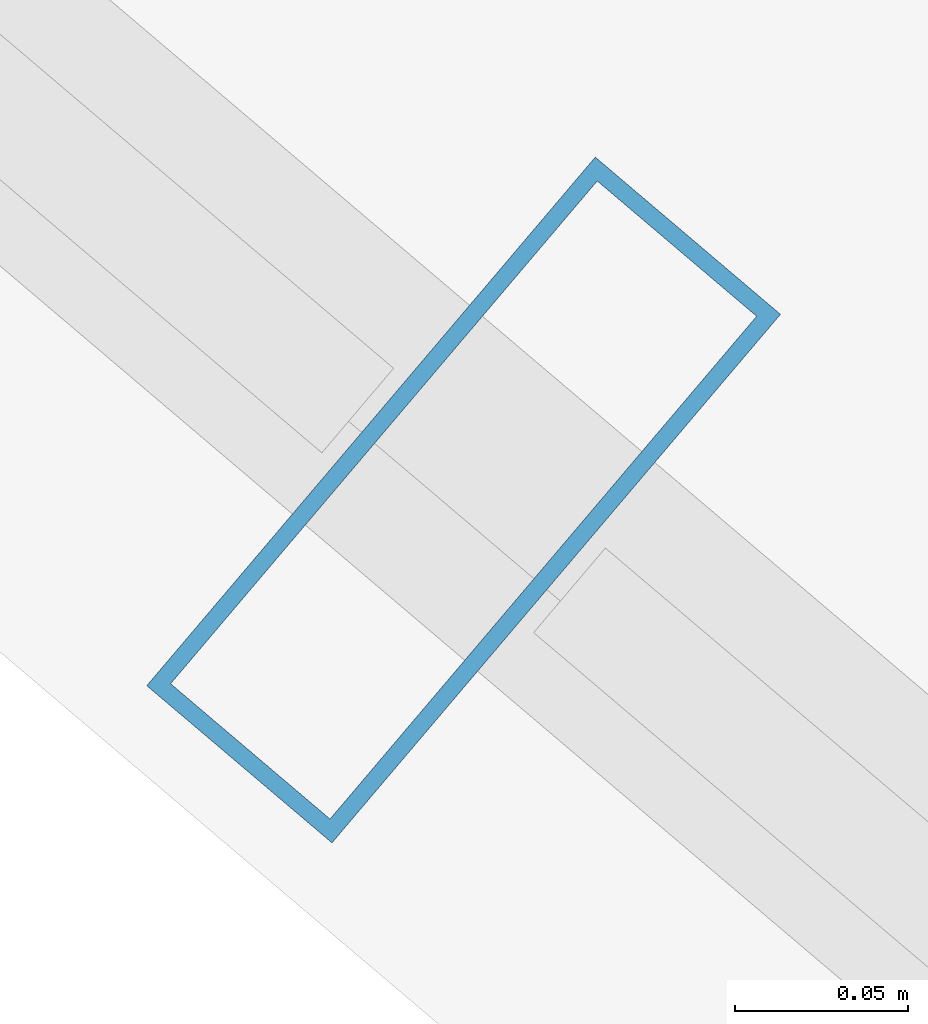
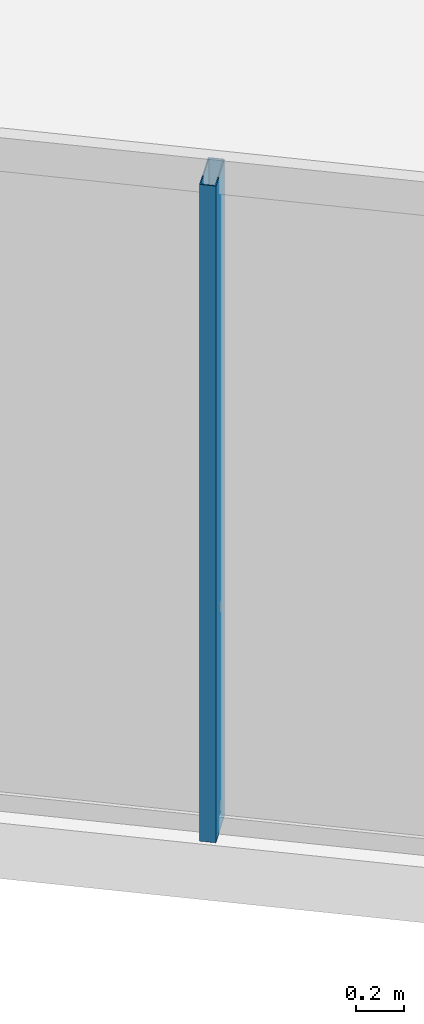
# One storey, part 2 of 21: 1 member, 1 element without a shape of its own.
"""IFC4 building model written with IfcOpenShell, lengths in metres."""

import ifcopenshell
import ifcopenshell.guid

model = None  # the IFC model being written
_history = None  # IfcOwnerHistory: only IFC2X3 demands one
_inside = {}  # id of a spatial element -> (the spatial element, [elements in it])
_under = {}  # id of a project, library or spatial element -> (it, [spatial elements below it])
_declared = {}  # id of a project -> (the project, [libraries it declares])
_typed = {}  # id of a type object -> (the type object, [elements of that type])
_made_of = {}  # id of a material, layer set ... -> (it, [elements and type objects made of it])


def new_model(schema):
    """Start an empty IFC model of exactly this schema.

    Asked for "IFC4X3", IfcOpenShell would pick the latest addendum, in which some entities
    have other attributes; the version numbers below select the first issue.
    IFC2X3 requires an IfcOwnerHistory on every rooted entity: one is made here for all.
    """
    global model, _history
    if schema == "IFC4X3":
        model = ifcopenshell.file(schema_version=(4, 3, 0, 0))
    else:
        model = ifcopenshell.file(schema=schema)
    _inside.clear()
    _under.clear()
    _declared.clear()
    _typed.clear()
    _made_of.clear()
    _history = None
    if model.schema == "IFC2X3":
        org = make("IfcOrganization", Name="unknown")
        user = make(
            "IfcPersonAndOrganization",
            ThePerson=make("IfcPerson", FamilyName="unknown"),
            TheOrganization=org,
        )
        app = make(
            "IfcApplication",
            ApplicationDeveloper=org,
            Version="unknown",
            ApplicationFullName="unknown",
            ApplicationIdentifier="unknown",
        )
        _history = make(
            "IfcOwnerHistory",
            OwningUser=user,
            OwningApplication=app,
            ChangeAction="ADDED",
            CreationDate=0,
        )
    return model


def make(cls, **values):
    """One entity of the class cls with the attributes given. An attribute that is None is left unset."""
    return model.create_entity(
        cls, **{name: value for name, value in values.items() if value is not None}
    )


def rooted(cls, **values):
    """An entity with a GlobalId (a new one), such as an element, a storey or a relation."""
    return make(cls, GlobalId=ifcopenshell.guid.new(), OwnerHistory=_history, **values)


def si_unit(unit_type, name, prefix=None):
    """IfcSIUnit, for example si_unit("LENGTHUNIT", "METRE", prefix="MILLI")."""
    return make("IfcSIUnit", UnitType=unit_type, Prefix=prefix, Name=name)


def assignment(units):
    """IfcUnitAssignment: the units of a project."""
    return None if units is None else make("IfcUnitAssignment", Units=units)


def point(xyz):
    """IfcCartesianPoint."""
    return None if xyz is None else make("IfcCartesianPoint", Coordinates=xyz)


def direction(xyz):
    """IfcDirection."""
    return None if xyz is None else make("IfcDirection", DirectionRatios=xyz)


def frame(location, z_axis=None, x_axis=None):
    """IfcAxis2Placement3D, a coordinate frame: its origin and axes. An axis left out is left unset."""
    return make(
        "IfcAxis2Placement3D",
        Location=point(location),
        Axis=direction(z_axis),
        RefDirection=direction(x_axis),
    )


def frame_2d(location, x_axis=None):
    """IfcAxis2Placement2D, a coordinate frame in the plane: its origin and x axis."""
    return make(
        "IfcAxis2Placement2D", Location=point(location), RefDirection=direction(x_axis)
    )


def origin():
    """The frame at (0, 0, 0) with its axes left unset."""
    return frame((0.0, 0.0, 0.0))


def origin_2d():
    """The frame at (0, 0) in the plane with its x axis left unset."""
    return frame_2d((0.0, 0.0))


def place(relative_to, where):
    """IfcLocalPlacement: puts the frame where relative to a parent placement (None: the world)."""
    return make(
        "IfcLocalPlacement", PlacementRelTo=relative_to, RelativePlacement=where
    )


def context(
    kind, dimensions, precision=None, world=None, true_north=None, identifier=None
):
    """IfcGeometricRepresentationContext, for example the 3D "Model" context."""
    return make(
        "IfcGeometricRepresentationContext",
        ContextIdentifier=identifier,
        ContextType=kind,
        CoordinateSpaceDimension=dimensions,
        Precision=precision,
        WorldCoordinateSystem=world,
        TrueNorth=true_north,
    )


def subcontext(parent, identifier, kind, view, scale=None):
    """IfcGeometricRepresentationSubContext, for example "Body" below "Model"."""
    return make(
        "IfcGeometricRepresentationSubContext",
        ContextIdentifier=identifier,
        ContextType=kind,
        ParentContext=parent,
        TargetScale=scale,
        TargetView=view,
    )


def project(units=None, contexts=None):
    """IfcProject with its units and contexts."""
    return rooted(
        "IfcProject",
        Name="project",
        RepresentationContexts=contexts,
        UnitsInContext=assignment(units),
    )


def spatial(cls, under=None, at=None, **own):
    """A site, building, storey or space (cls), placed at a placement, below another one or the project."""
    s = rooted(cls, ObjectPlacement=at, **own)
    if under is not None:
        _under.setdefault(under.id(), (under, []))[1].append(s)
    return s


def profile(cls, at=None, kind="AREA", **sizes):
    """A parametric profile (cls). Its sizes go by their IFC names, for example OverallWidth=200.0."""
    return make(cls, ProfileType=kind, Position=at, **sizes)


def hollow_rectangle(**sizes):
    """IfcRectangleHollowProfileDef."""
    return profile("IfcRectangleHollowProfileDef", **sizes)


def extrude(swept, where, along, depth):
    """IfcExtrudedAreaSolid: the profile swept, set in the frame where, extruded along a direction by depth."""
    return make(
        "IfcExtrudedAreaSolid",
        SweptArea=swept,
        Position=where,
        ExtrudedDirection=direction(along),
        Depth=depth,
    )


def shape(context_of_items, identifier, shape_type, items):
    """IfcShapeRepresentation: the items that make up one representation, for example the "Body"."""
    return make(
        "IfcShapeRepresentation",
        ContextOfItems=context_of_items,
        RepresentationIdentifier=identifier,
        RepresentationType=shape_type,
        Items=items,
    )


def material(Name=None, Category=None):
    """IfcMaterial."""
    return make("IfcMaterial", Name=Name, Category=Category)


def layer(
    of_material, thickness, ventilated=None, Name=None, Category=None, Priority=None
):
    """IfcMaterialLayer: one layer of a wall or slab, of a material (None: an air gap)."""
    return make(
        "IfcMaterialLayer",
        Material=of_material,
        LayerThickness=thickness,
        IsVentilated=ventilated,
        Name=Name,
        Category=Category,
        Priority=Priority,
    )


def layer_set(layers, Name=None):
    """IfcMaterialLayerSet."""
    return make("IfcMaterialLayerSet", MaterialLayers=layers, LayerSetName=Name)


def material_profile(
    of_material, cross_section, Name=None, Category=None, Priority=None
):
    """IfcMaterialProfile: a cross section and its material."""
    return make(
        "IfcMaterialProfile",
        Name=Name,
        Material=of_material,
        Profile=cross_section,
        Priority=Priority,
        Category=Category,
    )


def profile_set(profiles, Name=None, composite=None):
    """IfcMaterialProfileSet."""
    return make(
        "IfcMaterialProfileSet",
        Name=Name,
        MaterialProfiles=profiles,
        CompositeProfile=composite,
    )


def made_of(thing, what):
    """Note that an element or type object is made of a material, layer set ...; save() writes the relation."""
    if what is not None:
        _made_of.setdefault(what.id(), (what, []))[1].append(thing)
    return thing


def type_object(cls, material=None, **own):
    """A type object (cls), such as IfcWallType, which elements share."""
    return made_of(rooted(cls, **own), material)


def element(
    cls,
    number,
    at=None,
    inside=None,
    cuts=None,
    type_object=None,
    material=None,
    context=None,
    identifier="Body",
    shape_type=None,
    held_by="IfcProductDefinitionShape",
    body=None,
    shapes=None,
    **own,
):
    """One element of the class cls, such as IfcWall. Its Tag is "e" and its number.

    at: its placement. inside: the storey or other place that contains it. cuts: it is an
    opening in that element (IfcRelVoidsElement). A single representation is given by context,
    identifier, shape_type and body (its items); several are given by shapes. held_by: the class
    of the entity that holds the representations. save() writes the other relations.
    """
    e = rooted(cls, Tag="e%d" % number, ObjectPlacement=at, **own)
    if body is not None:
        shapes = [shape(context, identifier, shape_type, body)]
    if shapes is not None:
        e.Representation = make(held_by, Representations=shapes)
    if inside is not None:
        _inside.setdefault(inside.id(), (inside, []))[1].append(e)
    if cuts is not None:
        rooted(
            "IfcRelVoidsElement", RelatingBuildingElement=cuts, RelatedOpeningElement=e
        )
    if type_object is not None:
        _typed.setdefault(type_object.id(), (type_object, []))[1].append(e)
    return made_of(e, material)


def aggregate(whole, parts):
    """IfcRelAggregates: a whole, such as a stair, and the parts it consists of."""
    return rooted("IfcRelAggregates", RelatingObject=whole, RelatedObjects=parts)


def save(model, path):
    """Write the relations noted so far, then the file.

    IfcRelAggregates (storeys below a building ...), IfcRelContainedInSpatialStructure (elements
    in a storey), IfcRelDefinesByType, IfcRelAssociatesMaterial and IfcRelDeclares: one each for
    every whole, place, type object, material and project.
    """
    for whole, parts in _under.values():
        aggregate(whole, parts)
    for where, things in _inside.values():
        rooted(
            "IfcRelContainedInSpatialStructure",
            RelatedElements=things,
            RelatingStructure=where,
        )
    for kind, things in _typed.values():
        rooted("IfcRelDefinesByType", RelatedObjects=things, RelatingType=kind)
    for what, things in _made_of.values():
        rooted("IfcRelAssociatesMaterial", RelatedObjects=things, RelatingMaterial=what)
    for by, libraries in _declared.values():
        rooted("IfcRelDeclares", RelatingContext=by, RelatedDefinitions=libraries)
    model.write(path)


model = new_model("IFC4")

# Units and contexts
model_context = context("Model", 3, precision=1e-05, world=origin(), true_north=direction((0.0, 1.0)))
body_context = subcontext(model_context, "Body", "Model", "MODEL_VIEW")
ifc_project = project(units=[si_unit("LENGTHUNIT", "METRE"), si_unit("AREAUNIT", "SQUARE_METRE"), si_unit("VOLUMEUNIT", "CUBIC_METRE"), si_unit("PLANEANGLEUNIT", "RADIAN"), si_unit("MASSUNIT", "GRAM", prefix="KILO")], contexts=[model_context])

# Site, building, storey
site_placement = place(None, origin())
site = spatial("IfcSite", under=ifc_project, at=site_placement, CompositionType="ELEMENT")
building_placement = place(site_placement, origin())
building = spatial("IfcBuilding", under=site, at=building_placement, Name="Qarnah Convention Tower", CompositionType="ELEMENT")
storey_placement = place(building_placement, frame((0.0, 0.0, 140.10009765625)))
storey = spatial("IfcBuildingStorey", under=building, at=storey_placement, Name="L37", CompositionType="ELEMENT", Elevation=140.10009765625)

# Curtain wall, member
ifc_material_1 = material(Name="Tempered Low-E dark glass", Category="glass")
ifc_layer = layer(ifc_material_1, 0.172119140625)
ifc_layer_set = layer_set([ifc_layer], Name="Tempered Low-E dark glass")
curtain_wall_type = type_object("IfcCurtainWallType", Name="CWS-03", PredefinedType="NOTDEFINED", material=ifc_layer_set)
curtain_wall_placement = place(storey_placement, origin())
curtain_wall = element("IfcCurtainWall", 1, at=curtain_wall_placement, inside=storey, type_object=curtain_wall_type, Name="L37 unitised curtain wall CW-L37-F2", PredefinedType="NOTDEFINED")
ifc_material_2 = material(Name="Black anodised aluminium", Category="aluminium")
ifc_material_profile = material_profile(ifc_material_2, hollow_rectangle(XDim=0.070068359375, YDim=0.199951171875, WallThickness=0.0048828125, at=origin_2d()), Name="MUL-70X200")
ifc_profile_set = profile_set([ifc_material_profile], Name="Black anodised aluminium")
member_type = type_object("IfcMemberType", Name="MUL-T3", PredefinedType="MULLION", material=ifc_profile_set)
member_placement = place(storey_placement, frame((29.116943359375, 11.129638671875, 0.0), z_axis=(0.0, 0.0, 1.0), x_axis=(-0.762449207872, 0.647048070405, 0.0)))
member = element("IfcMember", 2, at=member_placement, type_object=member_type, Name="CW-L37-F2 mullion 3", PredefinedType="MULLION", context=body_context, shape_type="SweptSolid", body=[
    extrude(hollow_rectangle(XDim=0.070068359375, YDim=0.199951171875, WallThickness=0.0048828125, at=origin_2d()), origin(), (0.0, 0.0, 1.0), 3.31982421875),
])
aggregate(curtain_wall, [member])

save(model, "model.ifc")
